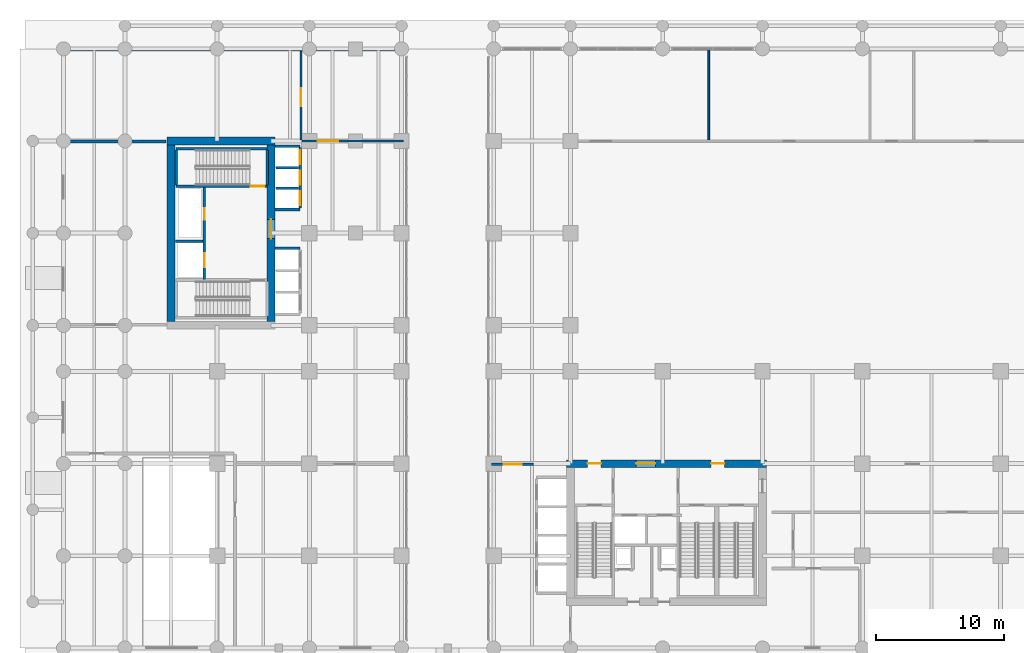
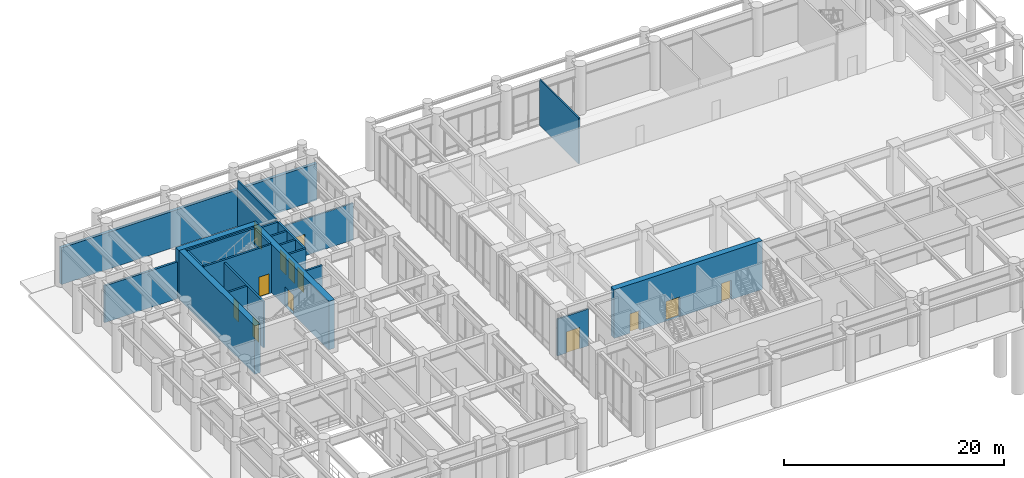
# One storey, part 16 of 23: 22 walls, 13 doors, 13 openings.
"""IFC4 building model written with IfcOpenShell, lengths in metres."""

from ifc_helpers import new_model, si_unit, derived_unit, direction, frame, frame_2d, origin, place, context, subcontext, project, spatial, rectangle, extrude, source, transform, mapped, material, layer, layer_set, type_object, type_shapes, element, fill, save


model = new_model("IFC4")

# Units and contexts
model_context = context("Model", 3, precision=1e-05, world=origin(), true_north=direction((0.0, 1.0)))
body_context = subcontext(model_context, "Body", "Model", "MODEL_VIEW")
ifc_project = project(units=[si_unit("LENGTHUNIT", "METRE"), si_unit("AREAUNIT", "SQUARE_METRE"), si_unit("VOLUMEUNIT", "CUBIC_METRE"), si_unit("PLANEANGLEUNIT", "RADIAN"), si_unit("MASSUNIT", "GRAM", prefix="KILO"), si_unit("THERMODYNAMICTEMPERATUREUNIT", "KELVIN"), si_unit("POWERUNIT", "WATT"), derived_unit("THERMALTRANSMITTANCEUNIT", [(si_unit("POWERUNIT", "WATT"), 1), (si_unit("AREAUNIT", "SQUARE_METRE"), -1), (si_unit("THERMODYNAMICTEMPERATUREUNIT", "KELVIN"), -1)])], contexts=[model_context])

# Site, building, storey
site_placement = place(None, origin())
site = spatial("IfcSite", under=ifc_project, at=site_placement, CompositionType="ELEMENT")
building_placement = place(site_placement, origin())
building = spatial("IfcBuilding", under=site, at=building_placement, Name="Zahravan Archway Hotel and Residences", CompositionType="ELEMENT")
storey_placement = place(building_placement, origin())
storey = spatial("IfcBuildingStorey", under=building, at=storey_placement, Name="L00", CompositionType="ELEMENT", Elevation=0.0)

# Wall, openings, doors
ifc_material_1 = material(Name="Concrete C70/85", Category="concrete")
ifc_layer_1 = layer(ifc_material_1, 0.60009765625, Name="Concrete C70/85", Category="concrete")
ifc_layer_set_1 = layer_set([ifc_layer_1], Name="Concrete C70/85")
wall_type_1 = type_object("IfcWallType", Name="CW-CORE-600", PredefinedType="SHEAR", material=ifc_layer_set_1)
wall_1_placement = place(storey_placement, frame((34.5, 14.39990234375, 0.0), z_axis=(0.0, 0.0, 1.0), x_axis=(1.0, 0.0, 0.0)))
wall_1 = element("IfcWall", 1, at=wall_1_placement, inside=storey, type_object=wall_type_1, Name="L00 Core A Shear N Wall 600 mm", PredefinedType="SHEAR", context=body_context, shape_type="SweptSolid", body=[
    extrude(rectangle(XDim=15.60009765625, YDim=0.60009765625, at=frame_2d((7.800048828125, 0.0))), origin(), (0.0, 0.0, 1.0), 5.39990234375),
])
opening_1_placement = place(wall_1_placement, frame((5.429931640625, 0.0, 0.0)))
opening_1 = element("IfcOpeningElement", 2, at=opening_1_placement, cuts=wall_1, Name="Opening FD-L1", PredefinedType="OPENING", context=body_context, shape_type="SweptSolid", body=[
    extrude(rectangle(XDim=1.5, YDim=2.199951171875, at=frame_2d((0.75, 1.10009765625))), frame((0.0, 0.31005859375, 0.0), z_axis=(0.0, -1.0, 0.0), x_axis=(1.0, 0.0, 0.0)), (0.0, 0.0, 1.0), 0.6201171875),
])
opening_2_placement = place(wall_1_placement, frame((1.64501953125, 0.0, 0.0)))
opening_2 = element("IfcOpeningElement", 3, at=opening_2_placement, cuts=wall_1, Name="Opening FD-L2", PredefinedType="OPENING", context=body_context, shape_type="SweptSolid", body=[
    extrude(rectangle(XDim=1.050048828125, YDim=2.14990234375, at=frame_2d((0.52490234375, 1.074951171875))), frame((0.0, 0.31005859375, 0.0), z_axis=(0.0, -1.0, 0.0), x_axis=(1.0, 0.0, 0.0)), (0.0, 0.0, 1.0), 0.6201171875),
])
opening_3_placement = place(wall_1_placement, frame((11.27490234375, 0.0, 0.0)))
opening_3 = element("IfcOpeningElement", 4, at=opening_3_placement, cuts=wall_1, Name="Opening FD-L2", PredefinedType="OPENING", context=body_context, shape_type="SweptSolid", body=[
    extrude(rectangle(XDim=1.050048828125, YDim=2.14990234375, at=frame_2d((0.52490234375, 1.074951171875))), frame((0.0, 0.31005859375, 0.0), z_axis=(0.0, -1.0, 0.0), x_axis=(1.0, 0.0, 0.0)), (0.0, 0.0, 1.0), 0.6201171875),
])
ifc_material_2 = material(Name="Fire-Rated Painted Steel", Category="steel")
door_type_1 = type_object("IfcDoorType", Name="FD-LOBBY-1100", OperationType="NOTDEFINED", PredefinedType="DOOR", material=ifc_material_2)
shared_shape_1 = source(origin(), body_context, "Body", "SweptSolid", [
    extrude(rectangle(XDim=1.050048828125, YDim=2.14990234375, at=frame_2d((0.52490234375, 1.074951171875))), frame((0.0, 0.02490234375, 0.0), z_axis=(0.0, -1.0, 0.0), x_axis=(1.0, 0.0, 0.0)), (0.0, 0.0, 1.0), 0.050048828125),
])
type_shapes(door_type_1, [shared_shape_1])
door_1_placement = place(opening_2_placement, origin())
door_1 = element("IfcDoor", 5, at=door_1_placement, inside=storey, type_object=door_type_1, Name="L00 Core A West Stair Lobby Door", OperationType="SINGLE_SWING_LEFT", OverallHeight=2.14990234375, OverallWidth=1.050048828125, PredefinedType="DOOR", context=body_context, shape_type="MappedRepresentation", body=[
    mapped(shared_shape_1, transform((0.0, 0.0, 0.0), scale=1.0)),
])
fill(opening_2, door_1)
door_2_placement = place(opening_3_placement, origin())
door_2 = element("IfcDoor", 6, at=door_2_placement, inside=storey, type_object=door_type_1, Name="L00 Core A East Stair Lobby Door", OperationType="SINGLE_SWING_RIGHT", OverallHeight=2.14990234375, OverallWidth=1.050048828125, PredefinedType="DOOR", context=body_context, shape_type="MappedRepresentation", body=[
    mapped(shared_shape_1, transform((0.0, 0.0, 0.0), scale=1.0)),
])
fill(opening_3, door_2)
door_type_2 = type_object("IfcDoorType", Name="FD-LOBBY-1500", OperationType="DOUBLE_DOOR_SINGLE_SWING", PredefinedType="DOOR", material=ifc_material_2)
shared_shape_2 = source(origin(), body_context, "Body", "SweptSolid", [
    extrude(rectangle(XDim=1.5, YDim=2.199951171875, at=frame_2d((0.75, 1.10009765625))), frame((0.0, 0.02490234375, 0.0), z_axis=(0.0, -1.0, 0.0), x_axis=(1.0, 0.0, 0.0)), (0.0, 0.0, 1.0), 0.050048828125),
])
type_shapes(door_type_2, [shared_shape_2])
door_3_placement = place(opening_1_placement, origin())
door_3 = element("IfcDoor", 7, at=door_3_placement, inside=storey, type_object=door_type_2, Name="L00 Core A FSAE Lobby Main Door", OperationType="DOUBLE_DOOR_SINGLE_SWING", OverallHeight=2.199951171875, OverallWidth=1.5, PredefinedType="DOOR", context=body_context, shape_type="MappedRepresentation", body=[
    mapped(shared_shape_2, transform((0.0, 0.0, 0.0), scale=1.0)),
])
fill(opening_1, door_3)

# Walls
wall_2_placement = place(storey_placement, frame((3.300048828125, 39.60009765625, 0.0), z_axis=(0.0, 0.0, 1.0), x_axis=(1.0, 0.0, 0.0)))
element("IfcWall", 8, at=wall_2_placement, inside=storey, type_object=wall_type_1, Name="L00 Core B Shear N Wall 600 mm", PredefinedType="SHEAR", context=body_context, shape_type="SweptSolid", body=[
    extrude(rectangle(XDim=8.39990234375, YDim=0.60009765625, at=frame_2d((4.199951171875, 0.0))), origin(), (0.0, 0.0, 1.0), 5.39990234375),
])
wall_3_placement = place(storey_placement, frame((3.60009765625, 25.5, 0.0), z_axis=(0.0, 0.0, 1.0), x_axis=(0.0, 1.0, 0.0)))
element("IfcWall", 9, at=wall_3_placement, inside=storey, type_object=wall_type_1, Name="L00 Core B Shear W Wall 600 mm", PredefinedType="SHEAR", context=body_context, shape_type="SweptSolid", body=[
    extrude(rectangle(XDim=13.800048828125, YDim=0.60009765625, at=frame_2d((6.89990234375, 0.0))), origin(), (0.0, 0.0, 1.0), 5.39990234375),
])

# Wall, opening, door
wall_4_placement = place(storey_placement, frame((11.39990234375, 25.5, 0.0), z_axis=(0.0, 0.0, 1.0), x_axis=(0.0, 1.0, 0.0)))
wall_4 = element("IfcWall", 10, at=wall_4_placement, inside=storey, type_object=wall_type_1, Name="L00 Core B Shear E Wall 600 mm", PredefinedType="SHEAR", context=body_context, shape_type="SweptSolid", body=[
    extrude(rectangle(XDim=13.800048828125, YDim=0.60009765625, at=frame_2d((6.89990234375, 0.0))), origin(), (0.0, 0.0, 1.0), 5.39990234375),
])
opening_4_placement = place(wall_4_placement, frame((6.469970703125, 0.0, 0.0)))
opening_4 = element("IfcOpeningElement", 11, at=opening_4_placement, cuts=wall_4, Name="Opening FD-L1", PredefinedType="OPENING", context=body_context, shape_type="SweptSolid", body=[
    extrude(rectangle(XDim=1.5, YDim=2.199951171875, at=frame_2d((0.75, 1.10009765625))), frame((0.0, 0.31005859375, 0.0), z_axis=(0.0, -1.0, 0.0), x_axis=(1.0, 0.0, 0.0)), (0.0, 0.0, 1.0), 0.6201171875),
])
door_4_placement = place(opening_4_placement, origin())
door_4 = element("IfcDoor", 12, at=door_4_placement, inside=storey, type_object=door_type_2, Name="L00 Core B FSAE Lobby Door", OperationType="DOUBLE_DOOR_SINGLE_SWING", OverallHeight=2.199951171875, OverallWidth=1.5, PredefinedType="DOOR", context=body_context, shape_type="MappedRepresentation", body=[
    mapped(shared_shape_2, transform((0.0, 0.0, 0.0), scale=1.0)),
])
fill(opening_4, door_4)

# Walls
ifc_material_3 = material(Name="Agra Buff Sandstone & Insulated Backup", Category="masonry")
ifc_layer_2 = layer(ifc_material_3, 0.320068359375, Name="Agra Buff Sandstone & Insulated Backup", Category="masonry")
ifc_layer_set_2 = layer_set([ifc_layer_2], Name="Agra Buff Sandstone & Insulated Backup")
wall_type_2 = type_object("IfcWallType", Name="EW-SAND-320", PredefinedType="SOLIDWALL", material=ifc_layer_set_2)
wall_5_placement = place(storey_placement, frame((-4.800048828125, 46.800048828125, 0.0), z_axis=(0.0, 0.0, 1.0), x_axis=(1.0, 0.0, 0.0)))
element("IfcWall", 13, at=wall_5_placement, inside=storey, type_object=wall_type_2, Name="L00 Podium Sandstone NW Wall", PredefinedType="SOLIDWALL", context=body_context, shape_type="SweptSolid", body=[
    extrude(rectangle(XDim=26.85009765625, YDim=0.320068359375, at=frame_2d((13.425048828125, 0.0))), origin(), (0.0, 0.0, 1.0), 4.0849609375),
])
ifc_material_4 = material(Name="Fire-Rated Gypsum & Concrete Block", Category="concrete")
ifc_layer_3 = layer(ifc_material_4, 0.219970703125, Name="Fire-Rated Gypsum & Concrete Block", Category="concrete")
ifc_layer_set_3 = layer_set([ifc_layer_3], Name="Fire-Rated Gypsum & Concrete Block")
wall_type_3 = type_object("IfcWallType", Name="PW-COMP-220", PredefinedType="PARTITIONING", material=ifc_layer_set_3)
wall_6_placement = place(storey_placement, frame((-4.409912109375, 39.550048828125, 0.0), z_axis=(0.0, 0.0, 1.0), x_axis=(1.0, 0.0, 0.0)))
element("IfcWall", 14, at=wall_6_placement, inside=storey, type_object=wall_type_3, Name="L00 Partition L0-EPBN", PredefinedType="PARTITIONING", context=body_context, shape_type="SweptSolid", body=[
    extrude(rectangle(XDim=7.619873046875, YDim=0.219970703125, at=frame_2d((3.81005859375, 0.0))), origin(), (0.0, 0.0, 1.0), 4.0849609375),
])

# Wall, opening, door
ifc_layer_4 = layer(ifc_material_4, 0.159912109375, Name="Fire-Rated Gypsum & Concrete Block", Category="concrete")
ifc_layer_set_4 = layer_set([ifc_layer_4], Name="Fire-Rated Gypsum & Concrete Block")
wall_type_4 = type_object("IfcWallType", Name="PW-CORR-160", PredefinedType="PARTITIONING", material=ifc_layer_set_4)
wall_7_placement = place(storey_placement, frame((28.639892578125, 14.35009765625, 0.0), z_axis=(0.0, 0.0, 1.0), x_axis=(1.0, 0.0, 0.0)))
wall_7 = element("IfcWall", 15, at=wall_7_placement, inside=storey, type_object=wall_type_4, Name="L00 Partition L0-ESS", PredefinedType="PARTITIONING", context=body_context, shape_type="SweptSolid", body=[
    extrude(rectangle(XDim=3.27001953125, YDim=0.159912109375, at=frame_2d((1.635009765625, 0.0))), origin(), (0.0, 0.0, 1.0), 4.0849609375),
])
opening_5_placement = place(wall_7_placement, frame((0.93505859375, 0.0, 0.0)))
opening_5 = element("IfcOpeningElement", 16, at=opening_5_placement, cuts=wall_7, Name="Opening D-P1", PredefinedType="OPENING", context=body_context, shape_type="SweptSolid", body=[
    extrude(rectangle(XDim=1.39990234375, YDim=2.35009765625, at=frame_2d((0.699951171875, 1.175048828125))), frame((0.0, 0.08984375, 0.0), z_axis=(0.0, -1.0, 0.0), x_axis=(1.0, 0.0, 0.0)), (0.0, 0.0, 1.0), 0.179931640625),
])
ifc_material_5 = material(Name="Bronze-Anodized Glazed Aluminium", Category="aluminium")
door_type_3 = type_object("IfcDoorType", Name="ID-PUBLIC-1400", OperationType="DOUBLE_DOOR_SINGLE_SWING", PredefinedType="DOOR", material=ifc_material_5)
shared_shape_3 = source(origin(), body_context, "Body", "SweptSolid", [
    extrude(rectangle(XDim=1.39990234375, YDim=2.35009765625, at=frame_2d((0.699951171875, 1.175048828125))), frame((0.0, 0.02490234375, 0.0), z_axis=(0.0, -1.0, 0.0), x_axis=(1.0, 0.0, 0.0)), (0.0, 0.0, 1.0), 0.050048828125),
])
type_shapes(door_type_3, [shared_shape_3])
door_5_placement = place(opening_5_placement, origin())
door_5 = element("IfcDoor", 17, at=door_5_placement, inside=storey, type_object=door_type_3, Name="L00 Concourse Ticket Lounge Door", OperationType="DOUBLE_DOOR_SINGLE_SWING", OverallHeight=2.35009765625, OverallWidth=1.39990234375, PredefinedType="DOOR", context=body_context, shape_type="MappedRepresentation", body=[
    mapped(shared_shape_3, transform((0.0, 0.0, 0.0), scale=1.0)),
])
fill(opening_5, door_5)

wall_8_placement = place(storey_placement, frame((13.840087890625, 39.60009765625, 0.0), z_axis=(0.0, 0.0, 1.0), x_axis=(1.0, 0.0, 0.0)))
wall_8 = element("IfcWall", 18, at=wall_8_placement, inside=storey, type_object=wall_type_4, Name="L00 Partition L0-NTHW", PredefinedType="PARTITIONING", context=body_context, shape_type="SweptSolid", body=[
    extrude(rectangle(XDim=7.919921875, YDim=0.159912109375, at=frame_2d((3.9599609375, 0.0))), origin(), (0.0, 0.0, 1.0), 4.0849609375),
])
opening_6_placement = place(wall_8_placement, frame((1.219970703125, 0.0, 0.0)))
opening_6 = element("IfcOpeningElement", 19, at=opening_6_placement, cuts=wall_8, Name="Opening D-P2", PredefinedType="OPENING", context=body_context, shape_type="SweptSolid", body=[
    extrude(rectangle(XDim=1.60009765625, YDim=2.39990234375, at=frame_2d((0.800048828125, 1.199951171875))), frame((0.0, 0.08984375, 0.0), z_axis=(0.0, -1.0, 0.0), x_axis=(1.0, 0.0, 0.0)), (0.0, 0.0, 1.0), 0.179931640625),
])
door_type_4 = type_object("IfcDoorType", Name="ID-PUBLIC-1600", OperationType="DOUBLE_DOOR_SINGLE_SWING", PredefinedType="DOOR", material=ifc_material_5)
shared_shape_4 = source(origin(), body_context, "Body", "SweptSolid", [
    extrude(rectangle(XDim=1.60009765625, YDim=2.39990234375, at=frame_2d((0.800048828125, 1.199951171875))), frame((0.0, 0.02490234375, 0.0), z_axis=(0.0, -1.0, 0.0), x_axis=(1.0, 0.0, 0.0)), (0.0, 0.0, 1.0), 0.050048828125),
])
type_shapes(door_type_4, [shared_shape_4])
door_6_placement = place(opening_6_placement, origin())
door_6 = element("IfcDoor", 20, at=door_6_placement, inside=storey, type_object=door_type_4, Name="L00 Retail Boutique Door", OperationType="DOUBLE_DOOR_SINGLE_SWING", OverallHeight=2.39990234375, OverallWidth=1.60009765625, PredefinedType="DOOR", context=body_context, shape_type="MappedRepresentation", body=[
    mapped(shared_shape_4, transform((0.0, 0.0, 0.0), scale=1.0)),
])
fill(opening_6, door_6)

wall_9_placement = place(storey_placement, frame((13.75, 39.68994140625, 0.0), z_axis=(0.0, 0.0, 1.0), x_axis=(0.0, 1.0, 0.0)))
wall_9 = element("IfcWall", 21, at=wall_9_placement, inside=storey, type_object=wall_type_4, Name="L00 Partition L0-NWRE", PredefinedType="PARTITIONING", context=body_context, shape_type="SweptSolid", body=[
    extrude(rectangle(XDim=6.942138671875, YDim=0.159912109375, at=frame_2d((3.47119140625, 0.0))), origin(), (0.0, 0.0, 1.0), 5.10009765625),
])
opening_7_placement = place(wall_9_placement, frame((2.610107421875, 0.0, 0.0)))
opening_7 = element("IfcOpeningElement", 22, at=opening_7_placement, cuts=wall_9, Name="Opening D-P1", PredefinedType="OPENING", context=body_context, shape_type="SweptSolid", body=[
    extrude(rectangle(XDim=1.39990234375, YDim=2.35009765625, at=frame_2d((0.699951171875, 1.175048828125))), frame((0.0, 0.08984375, 0.0), z_axis=(0.0, -1.0, 0.0), x_axis=(1.0, 0.0, 0.0)), (0.0, 0.0, 1.0), 0.179931640625),
])
door_7_placement = place(opening_7_placement, origin())
door_7 = element("IfcDoor", 23, at=door_7_placement, inside=storey, type_object=door_type_3, Name="L00 North-West Travel Retail Door", OperationType="DOUBLE_DOOR_SINGLE_SWING", OverallHeight=2.35009765625, OverallWidth=1.39990234375, PredefinedType="DOOR", context=body_context, shape_type="MappedRepresentation", body=[
    mapped(shared_shape_3, transform((0.0, 0.0, 0.0), scale=1.0)),
])
fill(opening_7, door_7)

# Wall, openings, doors
ifc_layer_5 = layer(ifc_material_4, 0.199951171875, Name="Fire-Rated Gypsum & Concrete Block", Category="concrete")
ifc_layer_set_5 = layer_set([ifc_layer_5], Name="Fire-Rated Gypsum & Concrete Block")
wall_type_5 = type_object("IfcWallType", Name="PW-SHAFT-200", PredefinedType="PARTITIONING", material=ifc_layer_set_5)
wall_10_placement = place(storey_placement, frame((6.199951171875, 28.7900390625, 0.0), z_axis=(0.0, 0.0, 1.0), x_axis=(0.0, 1.0, 0.0)))
wall_10 = element("IfcWall", 24, at=wall_10_placement, inside=storey, type_object=wall_type_5, Name="L00 Partition CB-FL3E", PredefinedType="PARTITIONING", context=body_context, shape_type="SweptSolid", body=[
    extrude(rectangle(XDim=7.219970703125, YDim=0.199951171875, at=frame_2d((3.60986328125, 0.0))), origin(), (0.0, 0.0, 1.0), 5.10009765625),
])
opening_8_placement = place(wall_10_placement, frame((4.659912109375, 0.0, 0.0)))
opening_8 = element("IfcOpeningElement", 25, at=opening_8_placement, cuts=wall_10, Name="Opening FD-R1", PredefinedType="OPENING", context=body_context, shape_type="SweptSolid", body=[
    extrude(rectangle(XDim=0.89990234375, YDim=2.10009765625, at=frame_2d((0.449951171875, 1.050048828125))), frame((0.0, 0.10986328125, 0.0), z_axis=(0.0, -1.0, 0.0), x_axis=(1.0, 0.0, 0.0)), (0.0, 0.0, 1.0), 0.219970703125),
])
opening_9_placement = place(wall_10_placement, frame((0.9599609375, 0.0, 0.0)))
opening_9 = element("IfcOpeningElement", 26, at=opening_9_placement, cuts=wall_10, Name="Opening LD", PredefinedType="OPENING", context=body_context, shape_type="SweptSolid", body=[
    extrude(rectangle(XDim=1.10009765625, YDim=2.199951171875, at=frame_2d((0.550048828125, 1.10009765625))), frame((0.0, 0.10986328125, 0.0), z_axis=(0.0, -1.0, 0.0), x_axis=(1.0, 0.0, 0.0)), (0.0, 0.0, 1.0), 0.219970703125),
])
door_type_5 = type_object("IfcDoorType", Name="FD-RISER-900", OperationType="NOTDEFINED", PredefinedType="DOOR", material=ifc_material_2)
shared_shape_5 = source(origin(), body_context, "Body", "SweptSolid", [
    extrude(rectangle(XDim=0.89990234375, YDim=2.10009765625, at=frame_2d((0.449951171875, 1.050048828125))), frame((0.0, 0.02490234375, 0.0), z_axis=(0.0, -1.0, 0.0), x_axis=(1.0, 0.0, 0.0)), (0.0, 0.0, 1.0), 0.050048828125),
])
type_shapes(door_type_5, [shared_shape_5])
door_8_placement = place(opening_8_placement, origin())
door_8 = element("IfcDoor", 27, at=door_8_placement, inside=storey, type_object=door_type_5, Name="L00 Core B Riser Door", OperationType="SINGLE_SWING_RIGHT", OverallHeight=2.10009765625, OverallWidth=0.89990234375, PredefinedType="DOOR", context=body_context, shape_type="MappedRepresentation", body=[
    mapped(shared_shape_5, transform((0.0, 0.0, 0.0), scale=1.0)),
])
fill(opening_8, door_8)
ifc_material_6 = material(Name="Brushed Stainless Steel", Category="steel")
door_type_6 = type_object("IfcDoorType", Name="DR-LIFT-LD", OperationType="SLIDING_TO_LEFT", PredefinedType="DOOR", material=ifc_material_6)
shared_shape_6 = source(origin(), body_context, "Body", "SweptSolid", [
    extrude(rectangle(XDim=1.10009765625, YDim=2.199951171875, at=frame_2d((0.550048828125, 1.10009765625))), frame((0.0, 0.02490234375, 0.0), z_axis=(0.0, -1.0, 0.0), x_axis=(1.0, 0.0, 0.0)), (0.0, 0.0, 1.0), 0.050048828125),
])
type_shapes(door_type_6, [shared_shape_6])
door_9_placement = place(opening_9_placement, origin())
door_9 = element("IfcDoor", 28, at=door_9_placement, inside=storey, type_object=door_type_6, Name="L00 Lift FL-3 Sliding Landing Door", OperationType="SLIDING_TO_LEFT", OverallHeight=2.199951171875, OverallWidth=1.10009765625, PredefinedType="DOOR", context=body_context, shape_type="MappedRepresentation", body=[
    mapped(shared_shape_6, transform((0.0, 0.0, 0.0), scale=1.0)),
])
fill(opening_9, door_9)

# Walls
wall_11_placement = place(storey_placement, frame((3.9599609375, 31.780029296875, 0.0), z_axis=(0.0, 0.0, 1.0), x_axis=(1.0, 0.0, 0.0)))
element("IfcWall", 29, at=wall_11_placement, inside=storey, type_object=wall_type_5, Name="L00 Partition CB-FL3N", PredefinedType="PARTITIONING", context=body_context, shape_type="SweptSolid", body=[
    extrude(rectangle(XDim=2.130126953125, YDim=0.199951171875, at=frame_2d((1.06494140625, 0.0))), origin(), (0.0, 0.0, 1.0), 5.10009765625),
])
for number, where, z_axis, x_axis, name in (
    (30, (11.7099609375, 31.2099609375, 0.0), (0.0, 0.0, 1.0), (1.0, 0.0, 0.0), "L00 Partition B1-N"),
    (31, (11.7099609375, 34.25, 0.0), (0.0, 0.0, 1.0), (1.0, 0.0, 0.0), "L00 Partition B2-S"),
    (32, (11.7099609375, 39.18994140625, 0.0), (0.0, 0.0, 1.0), (1.0, 0.0, 0.0), "L00 Partition B2-N"),
):
    element("IfcWall", number, at=place(storey_placement, frame(where, z_axis=z_axis, x_axis=x_axis)), inside=storey, type_object=wall_type_5, Name=name, PredefinedType="PARTITIONING", context=body_context, shape_type="SweptSolid", body=[
        extrude(rectangle(XDim=1.9599609375, YDim=0.199951171875, at=frame_2d((0.97998046875, 0.0))), origin(), (0.0, 0.0, 1.0), 5.10009765625),
    ])

# Wall, openings, doors
wall_12_placement = place(storey_placement, frame((13.679931640625, 34.360107421875, 0.0), z_axis=(0.0, 0.0, 1.0), x_axis=(0.0, 1.0, 0.0)))
wall_12 = element("IfcWall", 33, at=wall_12_placement, inside=storey, type_object=wall_type_5, Name="L00 Partition B2-E", PredefinedType="PARTITIONING", context=body_context, shape_type="SweptSolid", body=[
    extrude(rectangle(XDim=4.719970703125, YDim=0.199951171875, at=frame_2d((2.35986328125, 0.0))), origin(), (0.0, 0.0, 1.0), 5.10009765625),
])
opening_10_placement = place(wall_12_placement, frame((0.2099609375, 0.0, 0.0)))
opening_10 = element("IfcOpeningElement", 34, at=opening_10_placement, cuts=wall_12, Name="Opening LD", PredefinedType="OPENING", context=body_context, shape_type="SweptSolid", body=[
    extrude(rectangle(XDim=1.10009765625, YDim=2.199951171875, at=frame_2d((0.550048828125, 1.10009765625))), frame((0.0, 0.10986328125, 0.0), z_axis=(0.0, -1.0, 0.0), x_axis=(1.0, 0.0, 0.0)), (0.0, 0.0, 1.0), 0.219970703125),
])
opening_11_placement = place(wall_12_placement, frame((1.81005859375, 0.0, 0.0)))
opening_11 = element("IfcOpeningElement", 35, at=opening_11_placement, cuts=wall_12, Name="Opening LD", PredefinedType="OPENING", context=body_context, shape_type="SweptSolid", body=[
    extrude(rectangle(XDim=1.10009765625, YDim=2.199951171875, at=frame_2d((0.550048828125, 1.10009765625))), frame((0.0, 0.10986328125, 0.0), z_axis=(0.0, -1.0, 0.0), x_axis=(1.0, 0.0, 0.0)), (0.0, 0.0, 1.0), 0.219970703125),
])
opening_12_placement = place(wall_12_placement, frame((3.409912109375, 0.0, 0.0)))
opening_12 = element("IfcOpeningElement", 36, at=opening_12_placement, cuts=wall_12, Name="Opening LD", PredefinedType="OPENING", context=body_context, shape_type="SweptSolid", body=[
    extrude(rectangle(XDim=1.10009765625, YDim=2.199951171875, at=frame_2d((0.550048828125, 1.10009765625))), frame((0.0, 0.10986328125, 0.0), z_axis=(0.0, -1.0, 0.0), x_axis=(1.0, 0.0, 0.0)), (0.0, 0.0, 1.0), 0.219970703125),
])
door_10_placement = place(opening_10_placement, origin())
door_10 = element("IfcDoor", 37, at=door_10_placement, inside=storey, type_object=door_type_6, Name="L00 Lift LP-4 Sliding Landing Door", OperationType="SLIDING_TO_LEFT", OverallHeight=2.199951171875, OverallWidth=1.10009765625, PredefinedType="DOOR", context=body_context, shape_type="MappedRepresentation", body=[
    mapped(shared_shape_6, transform((0.0, 0.0, 0.0), scale=1.0)),
])
fill(opening_10, door_10)
door_11_placement = place(opening_11_placement, origin())
door_11 = element("IfcDoor", 38, at=door_11_placement, inside=storey, type_object=door_type_6, Name="L00 Lift LP-5 Sliding Landing Door", OperationType="SLIDING_TO_LEFT", OverallHeight=2.199951171875, OverallWidth=1.10009765625, PredefinedType="DOOR", context=body_context, shape_type="MappedRepresentation", body=[
    mapped(shared_shape_6, transform((0.0, 0.0, 0.0), scale=1.0)),
])
fill(opening_11, door_11)
door_12_placement = place(opening_12_placement, origin())
door_12 = element("IfcDoor", 39, at=door_12_placement, inside=storey, type_object=door_type_6, Name="L00 Lift LP-6 Sliding Landing Door", OperationType="SLIDING_TO_LEFT", OverallHeight=2.199951171875, OverallWidth=1.10009765625, PredefinedType="DOOR", context=body_context, shape_type="MappedRepresentation", body=[
    mapped(shared_shape_6, transform((0.0, 0.0, 0.0), scale=1.0)),
])
fill(opening_12, door_12)

# Walls
for number, where, z_axis, x_axis, name in (
    (40, (11.81005859375, 35.919921875, 0.0), (0.0, 0.0, 1.0), (1.0, 0.0, 0.0), "L00 Partition B2-D"),
    (41, (11.81005859375, 37.52001953125, 0.0), (0.0, 0.0, 1.0), (1.0, 0.0, 0.0), "L00 Partition B2-D"),
):
    element("IfcWall", number, at=place(storey_placement, frame(where, z_axis=z_axis, x_axis=x_axis)), inside=storey, type_object=wall_type_5, Name=name, PredefinedType="PARTITIONING", context=body_context, shape_type="SweptSolid", body=[
        extrude(rectangle(XDim=1.760009765625, YDim=0.199951171875, at=frame_2d((0.8798828125, 0.0))), origin(), (0.0, 0.0, 1.0), 5.10009765625),
    ])
ifc_material_7 = material(Name="Moisture-Resistant Blockwork", Category="masonry")
ifc_layer_6 = layer(ifc_material_7, 0.139892578125, Name="Moisture-Resistant Blockwork", Category="masonry")
ifc_layer_set_6 = layer_set([ifc_layer_6], Name="Moisture-Resistant Blockwork")
wall_type_6 = type_object("IfcWallType", Name="PW-WET-140", PredefinedType="PARTITIONING", material=ifc_layer_set_6)
wall_13_placement = place(storey_placement, frame((45.60009765625, 39.68994140625, 0.0), z_axis=(0.0, 0.0, 1.0), x_axis=(0.0, 1.0, 0.0)))
element("IfcWall", 42, at=wall_13_placement, inside=storey, type_object=wall_type_6, Name="L00 Partition L0-ND0", PredefinedType="PARTITIONING", context=body_context, shape_type="SweptSolid", body=[
    extrude(rectangle(XDim=7.08203125, YDim=0.139892578125, at=frame_2d((3.541015625, 0.0))), origin(), (0.0, 0.0, 1.0), 5.10009765625),
])
ifc_material_8 = material(Name="Concrete C50/60", Category="concrete")
ifc_layer_7 = layer(ifc_material_8, 0.199951171875, Name="Concrete C50/60", Category="concrete")
ifc_layer_set_7 = layer_set([ifc_layer_7], Name="Concrete C50/60")
wall_type_7 = type_object("IfcWallType", Name="SW-STAIR-200", PredefinedType="SHEAR", material=ifc_layer_set_7)
wall_14_placement = place(storey_placement, frame((4.0, 39.0, 0.0), z_axis=(0.0, 0.0, 1.0), x_axis=(1.0, 0.0, 0.0)))
element("IfcWall", 43, at=wall_14_placement, inside=storey, type_object=wall_type_7, Name="L00 Stairwell RC Wall CB-SB2N", PredefinedType="SHEAR", context=body_context, shape_type="SweptSolid", body=[
    extrude(rectangle(XDim=7.10009765625, YDim=0.199951171875, at=frame_2d((3.550048828125, 0.0))), origin(), (0.0, 0.0, 1.0), 5.39990234375),
])
for number, where, z_axis, x_axis, name in (
    (44, (4.0, 36.179931640625, 0.0), (0.0, 0.0, 1.0), (0.0, 1.0, 0.0), "L00 Stairwell RC Wall CB-SB2W"),
    (45, (11.10009765625, 36.179931640625, 0.0), (0.0, 0.0, 1.0), (0.0, 1.0, 0.0), "L00 Stairwell RC Wall CB-SB2E"),
):
    element("IfcWall", number, at=place(storey_placement, frame(where, z_axis=z_axis, x_axis=x_axis)), inside=storey, type_object=wall_type_7, Name=name, PredefinedType="SHEAR", context=body_context, shape_type="SweptSolid", body=[
        extrude(rectangle(XDim=2.699951171875, YDim=0.199951171875, at=frame_2d((1.35009765625, 0.0))), origin(), (0.0, 0.0, 1.0), 5.39990234375),
    ])

# Wall, opening, door
wall_15_placement = place(storey_placement, frame((4.0, 36.06005859375, 0.0), z_axis=(0.0, 0.0, 1.0), x_axis=(1.0, 0.0, 0.0)))
wall_15 = element("IfcWall", 46, at=wall_15_placement, inside=storey, type_object=wall_type_7, Name="L00 Stairwell RC Wall CB-SB2S", PredefinedType="SHEAR", context=body_context, shape_type="SweptSolid", body=[
    extrude(rectangle(XDim=7.10009765625, YDim=0.199951171875, at=frame_2d((3.550048828125, 0.0))), origin(), (0.0, 0.0, 1.0), 5.39990234375),
])
opening_13_placement = place(wall_15_placement, frame((5.81494140625, 0.0, 0.0)))
opening_13 = element("IfcOpeningElement", 47, at=opening_13_placement, cuts=wall_15, Name="Opening FD-S1", PredefinedType="OPENING", context=body_context, shape_type="SweptSolid", body=[
    extrude(rectangle(XDim=1.050048828125, YDim=2.199951171875, at=frame_2d((0.52490234375, 1.10009765625))), frame((0.0, 0.10986328125, 0.0), z_axis=(0.0, -1.0, 0.0), x_axis=(1.0, 0.0, 0.0)), (0.0, 0.0, 1.0), 0.219970703125),
])
door_type_7 = type_object("IfcDoorType", Name="FD-STAIR-1100", OperationType="NOTDEFINED", PredefinedType="DOOR", material=ifc_material_2)
shared_shape_7 = source(origin(), body_context, "Body", "SweptSolid", [
    extrude(rectangle(XDim=1.050048828125, YDim=2.199951171875, at=frame_2d((0.52490234375, 1.10009765625))), frame((0.0, 0.02490234375, 0.0), z_axis=(0.0, -1.0, 0.0), x_axis=(1.0, 0.0, 0.0)), (0.0, 0.0, 1.0), 0.050048828125),
])
type_shapes(door_type_7, [shared_shape_7])
door_13_placement = place(opening_13_placement, origin())
door_13 = element("IfcDoor", 48, at=door_13_placement, inside=storey, type_object=door_type_7, Name="L00 Stair ST-B2 Door", OperationType="SINGLE_SWING_LEFT", OverallHeight=2.199951171875, OverallWidth=1.050048828125, PredefinedType="DOOR", context=body_context, shape_type="MappedRepresentation", body=[
    mapped(shared_shape_7, transform((0.0, 0.0, 0.0), scale=1.0)),
])
fill(opening_13, door_13)

save(model, "model.ifc")
